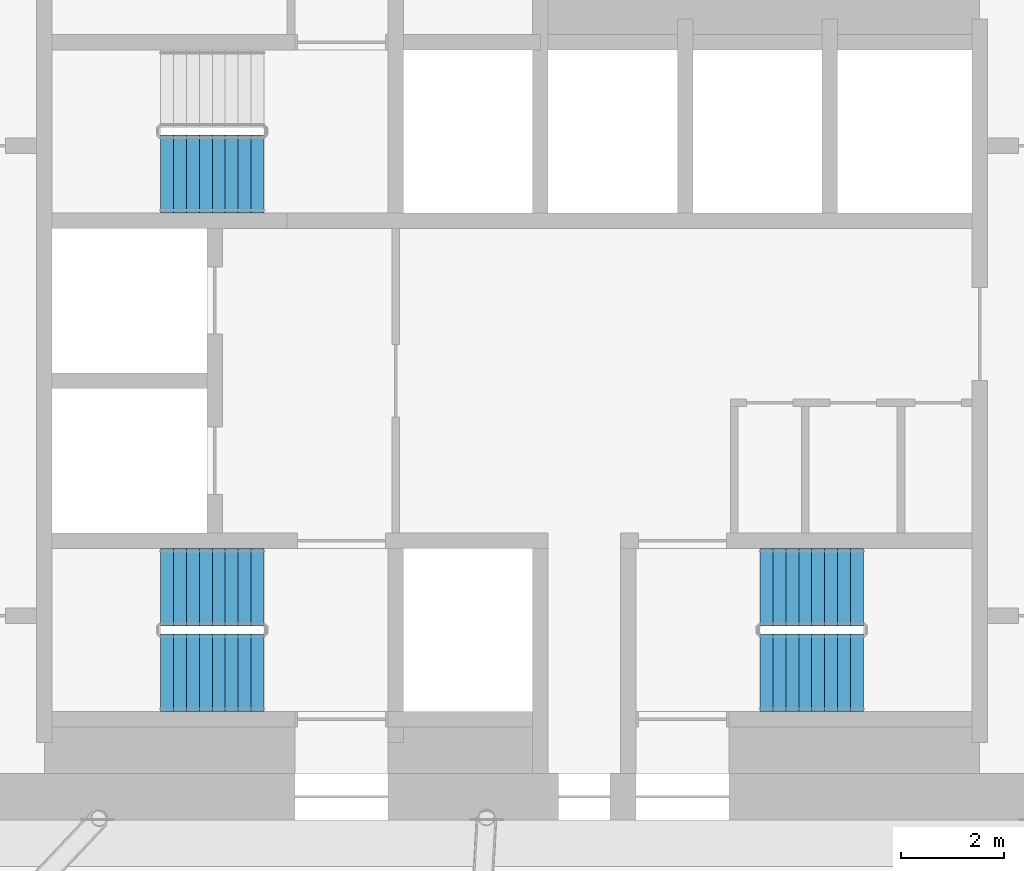
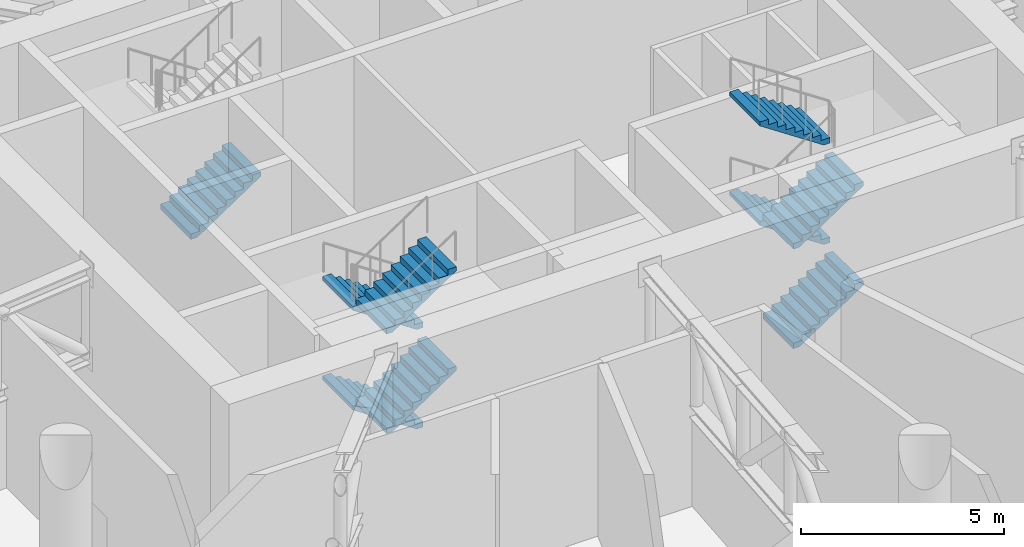
# One storey, part 13 of 15: 9 stair flights, 3 elements without a shape of their own.
"""IFC4 building model written with IfcOpenShell, lengths in metres."""

from ifc_helpers import new_model, si_unit, direction, frame, origin, place, context, subcontext, project, spatial, polyline, outline, extrude, material, type_object, element, aggregate, save


model = new_model("IFC4")

# Units and contexts
model_context = context("Model", 3, precision=1e-05, world=origin(), true_north=direction((0.0, 1.0)))
body_context = subcontext(model_context, "Body", "Model", "MODEL_VIEW")
ifc_project = project(units=[si_unit("LENGTHUNIT", "METRE"), si_unit("AREAUNIT", "SQUARE_METRE"), si_unit("VOLUMEUNIT", "CUBIC_METRE"), si_unit("PLANEANGLEUNIT", "RADIAN"), si_unit("MASSUNIT", "GRAM", prefix="KILO")], contexts=[model_context])

# Site, building, storey
site_placement = place(None, origin())
site = spatial("IfcSite", under=ifc_project, at=site_placement, CompositionType="ELEMENT")
building_placement = place(site_placement, origin())
building = spatial("IfcBuilding", under=site, at=building_placement, Name="Tracery Tower", CompositionType="ELEMENT")
storey_placement = place(building_placement, frame((0.0, 0.0, 225.0)))
storey = spatial("IfcBuildingStorey", under=building, at=storey_placement, Name="L58 Plant", CompositionType="ELEMENT", Elevation=225.0)

# Stair, stair flights
ifc_material_1 = material(Name="Concrete C32/40", Category="concrete")
stair_type = type_object("IfcStairType", Name="Core stair 36 risers", PredefinedType="HALF_TURN_STAIR", material=ifc_material_1)
stair_1_placement = place(storey_placement, origin())
stair_1 = element("IfcStair", 1, at=stair_1_placement, inside=storey, type_object=stair_type, Name="L58 Plant stair ST1", PredefinedType="HALF_TURN_STAIR")
ifc_material_2 = material(Name="Concrete C32/40", Category="concrete")
stair_flight_type = type_object("IfcStairFlightType", Name="Core stair flight 9 risers", PredefinedType="STRAIGHT", material=ifc_material_2)
stair_flight_1_placement = place(storey_placement, frame((-4.800048828125, -4.0, 0.0), z_axis=(0.0, 0.0, 1.0), x_axis=(-1.0, 0.0, 0.0)))
stair_flight_1 = element("IfcStairFlight", 2, at=stair_flight_1_placement, type_object=stair_flight_type, Name="ST1 flight 1", NumberOfRisers=9, NumberOfTreads=8, PredefinedType="STRAIGHT", RiserHeight=0.166666667, TreadLength=0.25, context=body_context, shape_type="SweptSolid", body=[
    extrude(outline(polyline([(0.0, 0.0), (0.0, 0.002685546875), (0.0, 0.00537109375), (0.0, 0.00830078125), (0.0, 0.010986328125), (0.0, 0.013671875), (0.0, 0.016357421875), (0.0, 0.01904296875), (0.0, 0.02197265625), (0.0, 0.024658203125), (0.0, 0.02734375), (0.0, 0.030029296875), (0.0, 0.03271484375), (0.0, 0.035400390625), (0.0, 0.038330078125), (0.0, 0.041015625), (0.0, 0.043701171875), (0.0, 0.04638671875), (0.0, 0.049072265625), (0.0, 0.052001953125), (0.0, 0.0546875), (0.0, 0.057373046875), (0.0, 0.06005859375), (0.0, 0.062744140625), (0.0, 0.065673828125), (0.0, 0.068359375), (0.0, 0.071044921875), (0.0, 0.07373046875), (0.0, 0.076416015625), (0.0, 0.079345703125), (0.0, 0.08203125), (0.0, 0.084716796875), (0.0, 0.08740234375), (0.0, 0.090087890625), (0.0, 0.093017578125), (0.0, 0.095703125), (0.0, 0.098388671875), (0.0, 0.10107421875), (0.0, 0.103759765625), (0.0, 0.1064453125), (0.0, 0.109375), (0.0, 0.112060546875), (0.0, 0.11474609375), (0.0, 0.117431640625), (0.0, 0.1201171875), (0.0, 0.123046875), (0.0, 0.125732421875), (0.0, 0.12841796875), (0.0, 0.131103515625), (0.0, 0.1337890625), (0.0, 0.13671875), (0.0, 0.139404296875), (0.0, 0.14208984375), (0.0, 0.144775390625), (0.0, 0.1474609375), (0.0, 0.150390625), (0.0, 0.153076171875), (0.0, 0.15576171875), (0.0, 0.158447265625), (0.0, 0.1611328125), (0.0, 0.163818359375), (0.0, 0.166748046875), (0.25, 0.166748046875), (0.25, 0.333251953125), (0.5, 0.333251953125), (0.5, 0.5), (0.75, 0.5), (0.75, 0.666748046875), (1.0, 0.666748046875), (1.0, 0.833251953125), (1.25, 0.833251953125), (1.25, 1.0), (1.5, 1.0), (1.5, 1.166748046875), (1.75, 1.166748046875), (1.75, 1.333251953125), (2.0, 1.333251953125), (2.0, 1.331298828125), (2.0, 1.329345703125), (2.0, 1.327392578125), (2.0, 1.325439453125), (2.0, 1.323486328125), (2.0, 1.321533203125), (2.0, 1.319580078125), (2.0, 1.317626953125), (2.0, 1.315673828125), (2.0, 1.313720703125), (2.0, 1.3115234375), (2.0, 1.3095703125), (2.0, 1.3076171875), (2.0, 1.3056640625), (2.0, 1.3037109375), (2.0, 1.3017578125), (2.0, 1.2998046875), (2.0, 1.2978515625), (2.0, 1.2958984375), (2.0, 1.2939453125), (2.0, 1.2919921875), (2.0, 1.2900390625), (2.0, 1.2880859375), (2.0, 1.285888671875), (2.0, 1.283935546875), (2.0, 1.281982421875), (2.0, 1.280029296875), (2.0, 1.278076171875), (2.0, 1.276123046875), (2.0, 1.274169921875), (2.0, 1.272216796875), (2.0, 1.270263671875), (2.0, 1.268310546875), (2.0, 1.266357421875), (2.0, 1.264404296875), (2.0, 1.262451171875), (2.0, 1.26025390625), (2.0, 1.25830078125), (2.0, 1.25634765625), (2.0, 1.25439453125), (2.0, 1.25244140625), (2.0, 1.25048828125), (2.0, 1.24853515625), (2.0, 1.24658203125), (2.0, 1.24462890625), (2.0, 1.24267578125), (2.0, 1.24072265625), (2.0, 1.23876953125), (2.0, 1.23681640625), (2.0, 1.234619140625), (2.0, 1.232666015625), (2.0, 1.230712890625), (2.0, 1.228759765625), (2.0, 1.226806640625), (2.0, 1.224853515625), (2.0, 1.222900390625), (2.0, 1.220947265625), (2.0, 1.218994140625), (2.0, 1.217041015625), (2.0, 1.215087890625), (2.0, 1.213134765625), (0.180419921875, 0.0), (0.0, 0.0)])), frame((0.0, 0.75, 0.0), z_axis=(0.0, -1.0, 0.0), x_axis=(1.0, 0.0, 0.0)), (0.0, 0.0, 1.0), 1.5),
])
stair_flight_2_placement = place(storey_placement, frame((-6.800048828125, -5.64990234375, 1.5), z_axis=(0.0, 0.0, 1.0), x_axis=(1.0, 0.0, 0.0)))
stair_flight_2 = element("IfcStairFlight", 3, at=stair_flight_2_placement, type_object=stair_flight_type, Name="ST1 flight 2", NumberOfRisers=9, NumberOfTreads=8, PredefinedType="STRAIGHT", RiserHeight=0.166666667, TreadLength=0.25, context=body_context, shape_type="SweptSolid", body=[
    extrude(outline(polyline([(0.0, 0.0), (0.0, 0.002685546875), (0.0, 0.00537109375), (0.0, 0.00830078125), (0.0, 0.010986328125), (0.0, 0.013671875), (0.0, 0.016357421875), (0.0, 0.01904296875), (0.0, 0.02197265625), (0.0, 0.024658203125), (0.0, 0.02734375), (0.0, 0.030029296875), (0.0, 0.03271484375), (0.0, 0.035400390625), (0.0, 0.038330078125), (0.0, 0.041015625), (0.0, 0.043701171875), (0.0, 0.04638671875), (0.0, 0.049072265625), (0.0, 0.052001953125), (0.0, 0.0546875), (0.0, 0.057373046875), (0.0, 0.06005859375), (0.0, 0.062744140625), (0.0, 0.065673828125), (0.0, 0.068359375), (0.0, 0.071044921875), (0.0, 0.07373046875), (0.0, 0.076416015625), (0.0, 0.079345703125), (0.0, 0.08203125), (0.0, 0.084716796875), (0.0, 0.08740234375), (0.0, 0.090087890625), (0.0, 0.093017578125), (0.0, 0.095703125), (0.0, 0.098388671875), (0.0, 0.10107421875), (0.0, 0.103759765625), (0.0, 0.1064453125), (0.0, 0.109375), (0.0, 0.112060546875), (0.0, 0.11474609375), (0.0, 0.117431640625), (0.0, 0.1201171875), (0.0, 0.123046875), (0.0, 0.125732421875), (0.0, 0.12841796875), (0.0, 0.131103515625), (0.0, 0.1337890625), (0.0, 0.13671875), (0.0, 0.139404296875), (0.0, 0.14208984375), (0.0, 0.144775390625), (0.0, 0.1474609375), (0.0, 0.150390625), (0.0, 0.153076171875), (0.0, 0.15576171875), (0.0, 0.158447265625), (0.0, 0.1611328125), (0.0, 0.163818359375), (0.0, 0.166748046875), (0.25, 0.166748046875), (0.25, 0.333251953125), (0.5, 0.333251953125), (0.5, 0.5), (0.75, 0.5), (0.75, 0.666748046875), (1.0, 0.666748046875), (1.0, 0.833251953125), (1.25, 0.833251953125), (1.25, 1.0), (1.5, 1.0), (1.5, 1.166748046875), (1.75, 1.166748046875), (1.75, 1.333251953125), (2.0, 1.333251953125), (2.0, 1.331298828125), (2.0, 1.329345703125), (2.0, 1.327392578125), (2.0, 1.325439453125), (2.0, 1.323486328125), (2.0, 1.321533203125), (2.0, 1.319580078125), (2.0, 1.317626953125), (2.0, 1.315673828125), (2.0, 1.313720703125), (2.0, 1.3115234375), (2.0, 1.3095703125), (2.0, 1.3076171875), (2.0, 1.3056640625), (2.0, 1.3037109375), (2.0, 1.3017578125), (2.0, 1.2998046875), (2.0, 1.2978515625), (2.0, 1.2958984375), (2.0, 1.2939453125), (2.0, 1.2919921875), (2.0, 1.2900390625), (2.0, 1.2880859375), (2.0, 1.285888671875), (2.0, 1.283935546875), (2.0, 1.281982421875), (2.0, 1.280029296875), (2.0, 1.278076171875), (2.0, 1.276123046875), (2.0, 1.274169921875), (2.0, 1.272216796875), (2.0, 1.270263671875), (2.0, 1.268310546875), (2.0, 1.266357421875), (2.0, 1.264404296875), (2.0, 1.262451171875), (2.0, 1.26025390625), (2.0, 1.25830078125), (2.0, 1.25634765625), (2.0, 1.25439453125), (2.0, 1.25244140625), (2.0, 1.25048828125), (2.0, 1.24853515625), (2.0, 1.24658203125), (2.0, 1.24462890625), (2.0, 1.24267578125), (2.0, 1.24072265625), (2.0, 1.23876953125), (2.0, 1.23681640625), (2.0, 1.234619140625), (2.0, 1.232666015625), (2.0, 1.230712890625), (2.0, 1.228759765625), (2.0, 1.226806640625), (2.0, 1.224853515625), (2.0, 1.222900390625), (2.0, 1.220947265625), (2.0, 1.218994140625), (2.0, 1.217041015625), (2.0, 1.215087890625), (2.0, 1.213134765625), (0.180419921875, 0.0), (0.0, 0.0)])), frame((0.0, 0.75, 0.0), z_axis=(0.0, -1.0, 0.0), x_axis=(1.0, 0.0, 0.0)), (0.0, 0.0, 1.0), 1.5),
])
stair_flight_3_placement = place(storey_placement, frame((-4.800048828125, -4.0, 3.0), z_axis=(0.0, 0.0, 1.0), x_axis=(-1.0, 0.0, 0.0)))
stair_flight_3 = element("IfcStairFlight", 4, at=stair_flight_3_placement, type_object=stair_flight_type, Name="ST1 flight 3", NumberOfRisers=9, NumberOfTreads=8, PredefinedType="STRAIGHT", RiserHeight=0.166666667, TreadLength=0.25, context=body_context, shape_type="SweptSolid", body=[
    extrude(outline(polyline([(0.0, 0.0), (0.0, 0.002685546875), (0.0, 0.00537109375), (0.0, 0.00830078125), (0.0, 0.010986328125), (0.0, 0.013671875), (0.0, 0.016357421875), (0.0, 0.01904296875), (0.0, 0.02197265625), (0.0, 0.024658203125), (0.0, 0.02734375), (0.0, 0.030029296875), (0.0, 0.03271484375), (0.0, 0.035400390625), (0.0, 0.038330078125), (0.0, 0.041015625), (0.0, 0.043701171875), (0.0, 0.04638671875), (0.0, 0.049072265625), (0.0, 0.052001953125), (0.0, 0.0546875), (0.0, 0.057373046875), (0.0, 0.06005859375), (0.0, 0.062744140625), (0.0, 0.065673828125), (0.0, 0.068359375), (0.0, 0.071044921875), (0.0, 0.07373046875), (0.0, 0.076416015625), (0.0, 0.079345703125), (0.0, 0.08203125), (0.0, 0.084716796875), (0.0, 0.08740234375), (0.0, 0.090087890625), (0.0, 0.093017578125), (0.0, 0.095703125), (0.0, 0.098388671875), (0.0, 0.10107421875), (0.0, 0.103759765625), (0.0, 0.1064453125), (0.0, 0.109375), (0.0, 0.112060546875), (0.0, 0.11474609375), (0.0, 0.117431640625), (0.0, 0.1201171875), (0.0, 0.123046875), (0.0, 0.125732421875), (0.0, 0.12841796875), (0.0, 0.131103515625), (0.0, 0.1337890625), (0.0, 0.13671875), (0.0, 0.139404296875), (0.0, 0.14208984375), (0.0, 0.144775390625), (0.0, 0.1474609375), (0.0, 0.150390625), (0.0, 0.153076171875), (0.0, 0.15576171875), (0.0, 0.158447265625), (0.0, 0.1611328125), (0.0, 0.163818359375), (0.0, 0.166748046875), (0.25, 0.166748046875), (0.25, 0.333251953125), (0.5, 0.333251953125), (0.5, 0.5), (0.75, 0.5), (0.75, 0.666748046875), (1.0, 0.666748046875), (1.0, 0.833251953125), (1.25, 0.833251953125), (1.25, 1.0), (1.5, 1.0), (1.5, 1.166748046875), (1.75, 1.166748046875), (1.75, 1.333251953125), (2.0, 1.333251953125), (2.0, 1.331298828125), (2.0, 1.329345703125), (2.0, 1.327392578125), (2.0, 1.325439453125), (2.0, 1.323486328125), (2.0, 1.321533203125), (2.0, 1.319580078125), (2.0, 1.317626953125), (2.0, 1.315673828125), (2.0, 1.313720703125), (2.0, 1.3115234375), (2.0, 1.3095703125), (2.0, 1.3076171875), (2.0, 1.3056640625), (2.0, 1.3037109375), (2.0, 1.3017578125), (2.0, 1.2998046875), (2.0, 1.2978515625), (2.0, 1.2958984375), (2.0, 1.2939453125), (2.0, 1.2919921875), (2.0, 1.2900390625), (2.0, 1.2880859375), (2.0, 1.285888671875), (2.0, 1.283935546875), (2.0, 1.281982421875), (2.0, 1.280029296875), (2.0, 1.278076171875), (2.0, 1.276123046875), (2.0, 1.274169921875), (2.0, 1.272216796875), (2.0, 1.270263671875), (2.0, 1.268310546875), (2.0, 1.266357421875), (2.0, 1.264404296875), (2.0, 1.262451171875), (2.0, 1.26025390625), (2.0, 1.25830078125), (2.0, 1.25634765625), (2.0, 1.25439453125), (2.0, 1.25244140625), (2.0, 1.25048828125), (2.0, 1.24853515625), (2.0, 1.24658203125), (2.0, 1.24462890625), (2.0, 1.24267578125), (2.0, 1.24072265625), (2.0, 1.23876953125), (2.0, 1.23681640625), (2.0, 1.234619140625), (2.0, 1.232666015625), (2.0, 1.230712890625), (2.0, 1.228759765625), (2.0, 1.226806640625), (2.0, 1.224853515625), (2.0, 1.222900390625), (2.0, 1.220947265625), (2.0, 1.218994140625), (2.0, 1.217041015625), (2.0, 1.215087890625), (2.0, 1.213134765625), (0.180419921875, 0.0), (0.0, 0.0)])), frame((0.0, 0.75, 0.0), z_axis=(0.0, -1.0, 0.0), x_axis=(1.0, 0.0, 0.0)), (0.0, 0.0, 1.0), 1.5),
])
stair_flight_4_placement = place(storey_placement, frame((-6.800048828125, -5.64990234375, 4.5), z_axis=(0.0, 0.0, 1.0), x_axis=(1.0, 0.0, 0.0)))
stair_flight_4 = element("IfcStairFlight", 5, at=stair_flight_4_placement, type_object=stair_flight_type, Name="ST1 flight 4", NumberOfRisers=9, NumberOfTreads=8, PredefinedType="STRAIGHT", RiserHeight=0.166666667, TreadLength=0.25, context=body_context, shape_type="SweptSolid", body=[
    extrude(outline(polyline([(0.0, 0.0), (0.0, 0.002685546875), (0.0, 0.00537109375), (0.0, 0.00830078125), (0.0, 0.010986328125), (0.0, 0.013671875), (0.0, 0.016357421875), (0.0, 0.01904296875), (0.0, 0.02197265625), (0.0, 0.024658203125), (0.0, 0.02734375), (0.0, 0.030029296875), (0.0, 0.03271484375), (0.0, 0.035400390625), (0.0, 0.038330078125), (0.0, 0.041015625), (0.0, 0.043701171875), (0.0, 0.04638671875), (0.0, 0.049072265625), (0.0, 0.052001953125), (0.0, 0.0546875), (0.0, 0.057373046875), (0.0, 0.06005859375), (0.0, 0.062744140625), (0.0, 0.065673828125), (0.0, 0.068359375), (0.0, 0.071044921875), (0.0, 0.07373046875), (0.0, 0.076416015625), (0.0, 0.079345703125), (0.0, 0.08203125), (0.0, 0.084716796875), (0.0, 0.08740234375), (0.0, 0.090087890625), (0.0, 0.093017578125), (0.0, 0.095703125), (0.0, 0.098388671875), (0.0, 0.10107421875), (0.0, 0.103759765625), (0.0, 0.1064453125), (0.0, 0.109375), (0.0, 0.112060546875), (0.0, 0.11474609375), (0.0, 0.117431640625), (0.0, 0.1201171875), (0.0, 0.123046875), (0.0, 0.125732421875), (0.0, 0.12841796875), (0.0, 0.131103515625), (0.0, 0.1337890625), (0.0, 0.13671875), (0.0, 0.139404296875), (0.0, 0.14208984375), (0.0, 0.144775390625), (0.0, 0.1474609375), (0.0, 0.150390625), (0.0, 0.153076171875), (0.0, 0.15576171875), (0.0, 0.158447265625), (0.0, 0.1611328125), (0.0, 0.163818359375), (0.0, 0.166748046875), (0.25, 0.166748046875), (0.25, 0.333251953125), (0.5, 0.333251953125), (0.5, 0.5), (0.75, 0.5), (0.75, 0.666748046875), (1.0, 0.666748046875), (1.0, 0.833251953125), (1.25, 0.833251953125), (1.25, 1.0), (1.5, 1.0), (1.5, 1.166748046875), (1.75, 1.166748046875), (1.75, 1.333251953125), (2.0, 1.333251953125), (2.0, 1.331298828125), (2.0, 1.329345703125), (2.0, 1.327392578125), (2.0, 1.325439453125), (2.0, 1.323486328125), (2.0, 1.321533203125), (2.0, 1.319580078125), (2.0, 1.317626953125), (2.0, 1.315673828125), (2.0, 1.313720703125), (2.0, 1.3115234375), (2.0, 1.3095703125), (2.0, 1.3076171875), (2.0, 1.3056640625), (2.0, 1.3037109375), (2.0, 1.3017578125), (2.0, 1.2998046875), (2.0, 1.2978515625), (2.0, 1.2958984375), (2.0, 1.2939453125), (2.0, 1.2919921875), (2.0, 1.2900390625), (2.0, 1.2880859375), (2.0, 1.285888671875), (2.0, 1.283935546875), (2.0, 1.281982421875), (2.0, 1.280029296875), (2.0, 1.278076171875), (2.0, 1.276123046875), (2.0, 1.274169921875), (2.0, 1.272216796875), (2.0, 1.270263671875), (2.0, 1.268310546875), (2.0, 1.266357421875), (2.0, 1.264404296875), (2.0, 1.262451171875), (2.0, 1.26025390625), (2.0, 1.25830078125), (2.0, 1.25634765625), (2.0, 1.25439453125), (2.0, 1.25244140625), (2.0, 1.25048828125), (2.0, 1.24853515625), (2.0, 1.24658203125), (2.0, 1.24462890625), (2.0, 1.24267578125), (2.0, 1.24072265625), (2.0, 1.23876953125), (2.0, 1.23681640625), (2.0, 1.234619140625), (2.0, 1.232666015625), (2.0, 1.230712890625), (2.0, 1.228759765625), (2.0, 1.226806640625), (2.0, 1.224853515625), (2.0, 1.222900390625), (2.0, 1.220947265625), (2.0, 1.218994140625), (2.0, 1.217041015625), (2.0, 1.215087890625), (2.0, 1.213134765625), (0.180419921875, 0.0), (0.0, 0.0)])), frame((0.0, 0.75, 0.0), z_axis=(0.0, -1.0, 0.0), x_axis=(1.0, 0.0, 0.0)), (0.0, 0.0, 1.0), 1.5),
])
aggregate(stair_1, [stair_flight_1, stair_flight_2, stair_flight_3, stair_flight_4])

# Stair, stair flight
stair_2_placement = place(storey_placement, origin())
stair_2 = element("IfcStair", 6, at=stair_2_placement, inside=storey, type_object=stair_type, Name="L58 Plant stair ST3", PredefinedType="HALF_TURN_STAIR")
stair_flight_5_placement = place(storey_placement, frame((-6.800048828125, 4.0, 1.5), z_axis=(0.0, 0.0, 1.0), x_axis=(1.0, 0.0, 0.0)))
stair_flight_5 = element("IfcStairFlight", 7, at=stair_flight_5_placement, type_object=stair_flight_type, Name="ST3 flight 2", NumberOfRisers=9, NumberOfTreads=8, PredefinedType="STRAIGHT", RiserHeight=0.166666667, TreadLength=0.25, context=body_context, shape_type="SweptSolid", body=[
    extrude(outline(polyline([(0.0, 0.0), (0.0, 0.002685546875), (0.0, 0.00537109375), (0.0, 0.00830078125), (0.0, 0.010986328125), (0.0, 0.013671875), (0.0, 0.016357421875), (0.0, 0.01904296875), (0.0, 0.02197265625), (0.0, 0.024658203125), (0.0, 0.02734375), (0.0, 0.030029296875), (0.0, 0.03271484375), (0.0, 0.035400390625), (0.0, 0.038330078125), (0.0, 0.041015625), (0.0, 0.043701171875), (0.0, 0.04638671875), (0.0, 0.049072265625), (0.0, 0.052001953125), (0.0, 0.0546875), (0.0, 0.057373046875), (0.0, 0.06005859375), (0.0, 0.062744140625), (0.0, 0.065673828125), (0.0, 0.068359375), (0.0, 0.071044921875), (0.0, 0.07373046875), (0.0, 0.076416015625), (0.0, 0.079345703125), (0.0, 0.08203125), (0.0, 0.084716796875), (0.0, 0.08740234375), (0.0, 0.090087890625), (0.0, 0.093017578125), (0.0, 0.095703125), (0.0, 0.098388671875), (0.0, 0.10107421875), (0.0, 0.103759765625), (0.0, 0.1064453125), (0.0, 0.109375), (0.0, 0.112060546875), (0.0, 0.11474609375), (0.0, 0.117431640625), (0.0, 0.1201171875), (0.0, 0.123046875), (0.0, 0.125732421875), (0.0, 0.12841796875), (0.0, 0.131103515625), (0.0, 0.1337890625), (0.0, 0.13671875), (0.0, 0.139404296875), (0.0, 0.14208984375), (0.0, 0.144775390625), (0.0, 0.1474609375), (0.0, 0.150390625), (0.0, 0.153076171875), (0.0, 0.15576171875), (0.0, 0.158447265625), (0.0, 0.1611328125), (0.0, 0.163818359375), (0.0, 0.166748046875), (0.25, 0.166748046875), (0.25, 0.333251953125), (0.5, 0.333251953125), (0.5, 0.5), (0.75, 0.5), (0.75, 0.666748046875), (1.0, 0.666748046875), (1.0, 0.833251953125), (1.25, 0.833251953125), (1.25, 1.0), (1.5, 1.0), (1.5, 1.166748046875), (1.75, 1.166748046875), (1.75, 1.333251953125), (2.0, 1.333251953125), (2.0, 1.331298828125), (2.0, 1.329345703125), (2.0, 1.327392578125), (2.0, 1.325439453125), (2.0, 1.323486328125), (2.0, 1.321533203125), (2.0, 1.319580078125), (2.0, 1.317626953125), (2.0, 1.315673828125), (2.0, 1.313720703125), (2.0, 1.3115234375), (2.0, 1.3095703125), (2.0, 1.3076171875), (2.0, 1.3056640625), (2.0, 1.3037109375), (2.0, 1.3017578125), (2.0, 1.2998046875), (2.0, 1.2978515625), (2.0, 1.2958984375), (2.0, 1.2939453125), (2.0, 1.2919921875), (2.0, 1.2900390625), (2.0, 1.2880859375), (2.0, 1.285888671875), (2.0, 1.283935546875), (2.0, 1.281982421875), (2.0, 1.280029296875), (2.0, 1.278076171875), (2.0, 1.276123046875), (2.0, 1.274169921875), (2.0, 1.272216796875), (2.0, 1.270263671875), (2.0, 1.268310546875), (2.0, 1.266357421875), (2.0, 1.264404296875), (2.0, 1.262451171875), (2.0, 1.26025390625), (2.0, 1.25830078125), (2.0, 1.25634765625), (2.0, 1.25439453125), (2.0, 1.25244140625), (2.0, 1.25048828125), (2.0, 1.24853515625), (2.0, 1.24658203125), (2.0, 1.24462890625), (2.0, 1.24267578125), (2.0, 1.24072265625), (2.0, 1.23876953125), (2.0, 1.23681640625), (2.0, 1.234619140625), (2.0, 1.232666015625), (2.0, 1.230712890625), (2.0, 1.228759765625), (2.0, 1.226806640625), (2.0, 1.224853515625), (2.0, 1.222900390625), (2.0, 1.220947265625), (2.0, 1.218994140625), (2.0, 1.217041015625), (2.0, 1.215087890625), (2.0, 1.213134765625), (0.180419921875, 0.0), (0.0, 0.0)])), frame((0.0, 0.75, 0.0), z_axis=(0.0, -1.0, 0.0), x_axis=(1.0, 0.0, 0.0)), (0.0, 0.0, 1.0), 1.5),
])
aggregate(stair_2, [stair_flight_5])

# Stair, stair flights
stair_3_placement = place(storey_placement, origin())
stair_3 = element("IfcStair", 8, at=stair_3_placement, inside=storey, type_object=stair_type, Name="L58 Plant stair ST2", PredefinedType="HALF_TURN_STAIR")
stair_flight_6_placement = place(storey_placement, frame((4.800048828125, -5.64990234375, 0.0), z_axis=(0.0, 0.0, 1.0), x_axis=(1.0, 0.0, 0.0)))
stair_flight_6 = element("IfcStairFlight", 9, at=stair_flight_6_placement, type_object=stair_flight_type, Name="ST2 flight 1", NumberOfRisers=9, NumberOfTreads=8, PredefinedType="STRAIGHT", RiserHeight=0.166666667, TreadLength=0.25, context=body_context, shape_type="SweptSolid", body=[
    extrude(outline(polyline([(0.0, 0.0), (0.0, 0.002685546875), (0.0, 0.00537109375), (0.0, 0.00830078125), (0.0, 0.010986328125), (0.0, 0.013671875), (0.0, 0.016357421875), (0.0, 0.01904296875), (0.0, 0.02197265625), (0.0, 0.024658203125), (0.0, 0.02734375), (0.0, 0.030029296875), (0.0, 0.03271484375), (0.0, 0.035400390625), (0.0, 0.038330078125), (0.0, 0.041015625), (0.0, 0.043701171875), (0.0, 0.04638671875), (0.0, 0.049072265625), (0.0, 0.052001953125), (0.0, 0.0546875), (0.0, 0.057373046875), (0.0, 0.06005859375), (0.0, 0.062744140625), (0.0, 0.065673828125), (0.0, 0.068359375), (0.0, 0.071044921875), (0.0, 0.07373046875), (0.0, 0.076416015625), (0.0, 0.079345703125), (0.0, 0.08203125), (0.0, 0.084716796875), (0.0, 0.08740234375), (0.0, 0.090087890625), (0.0, 0.093017578125), (0.0, 0.095703125), (0.0, 0.098388671875), (0.0, 0.10107421875), (0.0, 0.103759765625), (0.0, 0.1064453125), (0.0, 0.109375), (0.0, 0.112060546875), (0.0, 0.11474609375), (0.0, 0.117431640625), (0.0, 0.1201171875), (0.0, 0.123046875), (0.0, 0.125732421875), (0.0, 0.12841796875), (0.0, 0.131103515625), (0.0, 0.1337890625), (0.0, 0.13671875), (0.0, 0.139404296875), (0.0, 0.14208984375), (0.0, 0.144775390625), (0.0, 0.1474609375), (0.0, 0.150390625), (0.0, 0.153076171875), (0.0, 0.15576171875), (0.0, 0.158447265625), (0.0, 0.1611328125), (0.0, 0.163818359375), (0.0, 0.166748046875), (0.25, 0.166748046875), (0.25, 0.333251953125), (0.5, 0.333251953125), (0.5, 0.5), (0.75, 0.5), (0.75, 0.666748046875), (1.0, 0.666748046875), (1.0, 0.833251953125), (1.25, 0.833251953125), (1.25, 1.0), (1.5, 1.0), (1.5, 1.166748046875), (1.75, 1.166748046875), (1.75, 1.333251953125), (2.0, 1.333251953125), (2.0, 1.331298828125), (2.0, 1.329345703125), (2.0, 1.327392578125), (2.0, 1.325439453125), (2.0, 1.323486328125), (2.0, 1.321533203125), (2.0, 1.319580078125), (2.0, 1.317626953125), (2.0, 1.315673828125), (2.0, 1.313720703125), (2.0, 1.3115234375), (2.0, 1.3095703125), (2.0, 1.3076171875), (2.0, 1.3056640625), (2.0, 1.3037109375), (2.0, 1.3017578125), (2.0, 1.2998046875), (2.0, 1.2978515625), (2.0, 1.2958984375), (2.0, 1.2939453125), (2.0, 1.2919921875), (2.0, 1.2900390625), (2.0, 1.2880859375), (2.0, 1.285888671875), (2.0, 1.283935546875), (2.0, 1.281982421875), (2.0, 1.280029296875), (2.0, 1.278076171875), (2.0, 1.276123046875), (2.0, 1.274169921875), (2.0, 1.272216796875), (2.0, 1.270263671875), (2.0, 1.268310546875), (2.0, 1.266357421875), (2.0, 1.264404296875), (2.0, 1.262451171875), (2.0, 1.26025390625), (2.0, 1.25830078125), (2.0, 1.25634765625), (2.0, 1.25439453125), (2.0, 1.25244140625), (2.0, 1.25048828125), (2.0, 1.24853515625), (2.0, 1.24658203125), (2.0, 1.24462890625), (2.0, 1.24267578125), (2.0, 1.24072265625), (2.0, 1.23876953125), (2.0, 1.23681640625), (2.0, 1.234619140625), (2.0, 1.232666015625), (2.0, 1.230712890625), (2.0, 1.228759765625), (2.0, 1.226806640625), (2.0, 1.224853515625), (2.0, 1.222900390625), (2.0, 1.220947265625), (2.0, 1.218994140625), (2.0, 1.217041015625), (2.0, 1.215087890625), (2.0, 1.213134765625), (0.180419921875, 0.0), (0.0, 0.0)])), frame((0.0, 0.75, 0.0), z_axis=(0.0, -1.0, 0.0), x_axis=(1.0, 0.0, 0.0)), (0.0, 0.0, 1.0), 1.5),
])
stair_flight_7_placement = place(storey_placement, frame((6.800048828125, -4.0, 1.5), z_axis=(0.0, 0.0, 1.0), x_axis=(-1.0, 0.0, 0.0)))
stair_flight_7 = element("IfcStairFlight", 10, at=stair_flight_7_placement, type_object=stair_flight_type, Name="ST2 flight 2", NumberOfRisers=9, NumberOfTreads=8, PredefinedType="STRAIGHT", RiserHeight=0.166666667, TreadLength=0.25, context=body_context, shape_type="SweptSolid", body=[
    extrude(outline(polyline([(0.0, 0.0), (0.0, 0.002685546875), (0.0, 0.00537109375), (0.0, 0.00830078125), (0.0, 0.010986328125), (0.0, 0.013671875), (0.0, 0.016357421875), (0.0, 0.01904296875), (0.0, 0.02197265625), (0.0, 0.024658203125), (0.0, 0.02734375), (0.0, 0.030029296875), (0.0, 0.03271484375), (0.0, 0.035400390625), (0.0, 0.038330078125), (0.0, 0.041015625), (0.0, 0.043701171875), (0.0, 0.04638671875), (0.0, 0.049072265625), (0.0, 0.052001953125), (0.0, 0.0546875), (0.0, 0.057373046875), (0.0, 0.06005859375), (0.0, 0.062744140625), (0.0, 0.065673828125), (0.0, 0.068359375), (0.0, 0.071044921875), (0.0, 0.07373046875), (0.0, 0.076416015625), (0.0, 0.079345703125), (0.0, 0.08203125), (0.0, 0.084716796875), (0.0, 0.08740234375), (0.0, 0.090087890625), (0.0, 0.093017578125), (0.0, 0.095703125), (0.0, 0.098388671875), (0.0, 0.10107421875), (0.0, 0.103759765625), (0.0, 0.1064453125), (0.0, 0.109375), (0.0, 0.112060546875), (0.0, 0.11474609375), (0.0, 0.117431640625), (0.0, 0.1201171875), (0.0, 0.123046875), (0.0, 0.125732421875), (0.0, 0.12841796875), (0.0, 0.131103515625), (0.0, 0.1337890625), (0.0, 0.13671875), (0.0, 0.139404296875), (0.0, 0.14208984375), (0.0, 0.144775390625), (0.0, 0.1474609375), (0.0, 0.150390625), (0.0, 0.153076171875), (0.0, 0.15576171875), (0.0, 0.158447265625), (0.0, 0.1611328125), (0.0, 0.163818359375), (0.0, 0.166748046875), (0.25, 0.166748046875), (0.25, 0.333251953125), (0.5, 0.333251953125), (0.5, 0.5), (0.75, 0.5), (0.75, 0.666748046875), (1.0, 0.666748046875), (1.0, 0.833251953125), (1.25, 0.833251953125), (1.25, 1.0), (1.5, 1.0), (1.5, 1.166748046875), (1.75, 1.166748046875), (1.75, 1.333251953125), (2.0, 1.333251953125), (2.0, 1.331298828125), (2.0, 1.329345703125), (2.0, 1.327392578125), (2.0, 1.325439453125), (2.0, 1.323486328125), (2.0, 1.321533203125), (2.0, 1.319580078125), (2.0, 1.317626953125), (2.0, 1.315673828125), (2.0, 1.313720703125), (2.0, 1.3115234375), (2.0, 1.3095703125), (2.0, 1.3076171875), (2.0, 1.3056640625), (2.0, 1.3037109375), (2.0, 1.3017578125), (2.0, 1.2998046875), (2.0, 1.2978515625), (2.0, 1.2958984375), (2.0, 1.2939453125), (2.0, 1.2919921875), (2.0, 1.2900390625), (2.0, 1.2880859375), (2.0, 1.285888671875), (2.0, 1.283935546875), (2.0, 1.281982421875), (2.0, 1.280029296875), (2.0, 1.278076171875), (2.0, 1.276123046875), (2.0, 1.274169921875), (2.0, 1.272216796875), (2.0, 1.270263671875), (2.0, 1.268310546875), (2.0, 1.266357421875), (2.0, 1.264404296875), (2.0, 1.262451171875), (2.0, 1.26025390625), (2.0, 1.25830078125), (2.0, 1.25634765625), (2.0, 1.25439453125), (2.0, 1.25244140625), (2.0, 1.25048828125), (2.0, 1.24853515625), (2.0, 1.24658203125), (2.0, 1.24462890625), (2.0, 1.24267578125), (2.0, 1.24072265625), (2.0, 1.23876953125), (2.0, 1.23681640625), (2.0, 1.234619140625), (2.0, 1.232666015625), (2.0, 1.230712890625), (2.0, 1.228759765625), (2.0, 1.226806640625), (2.0, 1.224853515625), (2.0, 1.222900390625), (2.0, 1.220947265625), (2.0, 1.218994140625), (2.0, 1.217041015625), (2.0, 1.215087890625), (2.0, 1.213134765625), (0.180419921875, 0.0), (0.0, 0.0)])), frame((0.0, 0.75, 0.0), z_axis=(0.0, -1.0, 0.0), x_axis=(1.0, 0.0, 0.0)), (0.0, 0.0, 1.0), 1.5),
])
stair_flight_8_placement = place(storey_placement, frame((4.800048828125, -5.64990234375, 3.0), z_axis=(0.0, 0.0, 1.0), x_axis=(1.0, 0.0, 0.0)))
stair_flight_8 = element("IfcStairFlight", 11, at=stair_flight_8_placement, type_object=stair_flight_type, Name="ST2 flight 3", NumberOfRisers=9, NumberOfTreads=8, PredefinedType="STRAIGHT", RiserHeight=0.166666667, TreadLength=0.25, context=body_context, shape_type="SweptSolid", body=[
    extrude(outline(polyline([(0.0, 0.0), (0.0, 0.002685546875), (0.0, 0.00537109375), (0.0, 0.00830078125), (0.0, 0.010986328125), (0.0, 0.013671875), (0.0, 0.016357421875), (0.0, 0.01904296875), (0.0, 0.02197265625), (0.0, 0.024658203125), (0.0, 0.02734375), (0.0, 0.030029296875), (0.0, 0.03271484375), (0.0, 0.035400390625), (0.0, 0.038330078125), (0.0, 0.041015625), (0.0, 0.043701171875), (0.0, 0.04638671875), (0.0, 0.049072265625), (0.0, 0.052001953125), (0.0, 0.0546875), (0.0, 0.057373046875), (0.0, 0.06005859375), (0.0, 0.062744140625), (0.0, 0.065673828125), (0.0, 0.068359375), (0.0, 0.071044921875), (0.0, 0.07373046875), (0.0, 0.076416015625), (0.0, 0.079345703125), (0.0, 0.08203125), (0.0, 0.084716796875), (0.0, 0.08740234375), (0.0, 0.090087890625), (0.0, 0.093017578125), (0.0, 0.095703125), (0.0, 0.098388671875), (0.0, 0.10107421875), (0.0, 0.103759765625), (0.0, 0.1064453125), (0.0, 0.109375), (0.0, 0.112060546875), (0.0, 0.11474609375), (0.0, 0.117431640625), (0.0, 0.1201171875), (0.0, 0.123046875), (0.0, 0.125732421875), (0.0, 0.12841796875), (0.0, 0.131103515625), (0.0, 0.1337890625), (0.0, 0.13671875), (0.0, 0.139404296875), (0.0, 0.14208984375), (0.0, 0.144775390625), (0.0, 0.1474609375), (0.0, 0.150390625), (0.0, 0.153076171875), (0.0, 0.15576171875), (0.0, 0.158447265625), (0.0, 0.1611328125), (0.0, 0.163818359375), (0.0, 0.166748046875), (0.25, 0.166748046875), (0.25, 0.333251953125), (0.5, 0.333251953125), (0.5, 0.5), (0.75, 0.5), (0.75, 0.666748046875), (1.0, 0.666748046875), (1.0, 0.833251953125), (1.25, 0.833251953125), (1.25, 1.0), (1.5, 1.0), (1.5, 1.166748046875), (1.75, 1.166748046875), (1.75, 1.333251953125), (2.0, 1.333251953125), (2.0, 1.331298828125), (2.0, 1.329345703125), (2.0, 1.327392578125), (2.0, 1.325439453125), (2.0, 1.323486328125), (2.0, 1.321533203125), (2.0, 1.319580078125), (2.0, 1.317626953125), (2.0, 1.315673828125), (2.0, 1.313720703125), (2.0, 1.3115234375), (2.0, 1.3095703125), (2.0, 1.3076171875), (2.0, 1.3056640625), (2.0, 1.3037109375), (2.0, 1.3017578125), (2.0, 1.2998046875), (2.0, 1.2978515625), (2.0, 1.2958984375), (2.0, 1.2939453125), (2.0, 1.2919921875), (2.0, 1.2900390625), (2.0, 1.2880859375), (2.0, 1.285888671875), (2.0, 1.283935546875), (2.0, 1.281982421875), (2.0, 1.280029296875), (2.0, 1.278076171875), (2.0, 1.276123046875), (2.0, 1.274169921875), (2.0, 1.272216796875), (2.0, 1.270263671875), (2.0, 1.268310546875), (2.0, 1.266357421875), (2.0, 1.264404296875), (2.0, 1.262451171875), (2.0, 1.26025390625), (2.0, 1.25830078125), (2.0, 1.25634765625), (2.0, 1.25439453125), (2.0, 1.25244140625), (2.0, 1.25048828125), (2.0, 1.24853515625), (2.0, 1.24658203125), (2.0, 1.24462890625), (2.0, 1.24267578125), (2.0, 1.24072265625), (2.0, 1.23876953125), (2.0, 1.23681640625), (2.0, 1.234619140625), (2.0, 1.232666015625), (2.0, 1.230712890625), (2.0, 1.228759765625), (2.0, 1.226806640625), (2.0, 1.224853515625), (2.0, 1.222900390625), (2.0, 1.220947265625), (2.0, 1.218994140625), (2.0, 1.217041015625), (2.0, 1.215087890625), (2.0, 1.213134765625), (0.180419921875, 0.0), (0.0, 0.0)])), frame((0.0, 0.75, 0.0), z_axis=(0.0, -1.0, 0.0), x_axis=(1.0, 0.0, 0.0)), (0.0, 0.0, 1.0), 1.5),
])
stair_flight_9_placement = place(storey_placement, frame((6.800048828125, -4.0, 4.5), z_axis=(0.0, 0.0, 1.0), x_axis=(-1.0, 0.0, 0.0)))
stair_flight_9 = element("IfcStairFlight", 12, at=stair_flight_9_placement, type_object=stair_flight_type, Name="ST2 flight 4", NumberOfRisers=9, NumberOfTreads=8, PredefinedType="STRAIGHT", RiserHeight=0.166666667, TreadLength=0.25, context=body_context, shape_type="SweptSolid", body=[
    extrude(outline(polyline([(0.0, 0.0), (0.0, 0.002685546875), (0.0, 0.00537109375), (0.0, 0.00830078125), (0.0, 0.010986328125), (0.0, 0.013671875), (0.0, 0.016357421875), (0.0, 0.01904296875), (0.0, 0.02197265625), (0.0, 0.024658203125), (0.0, 0.02734375), (0.0, 0.030029296875), (0.0, 0.03271484375), (0.0, 0.035400390625), (0.0, 0.038330078125), (0.0, 0.041015625), (0.0, 0.043701171875), (0.0, 0.04638671875), (0.0, 0.049072265625), (0.0, 0.052001953125), (0.0, 0.0546875), (0.0, 0.057373046875), (0.0, 0.06005859375), (0.0, 0.062744140625), (0.0, 0.065673828125), (0.0, 0.068359375), (0.0, 0.071044921875), (0.0, 0.07373046875), (0.0, 0.076416015625), (0.0, 0.079345703125), (0.0, 0.08203125), (0.0, 0.084716796875), (0.0, 0.08740234375), (0.0, 0.090087890625), (0.0, 0.093017578125), (0.0, 0.095703125), (0.0, 0.098388671875), (0.0, 0.10107421875), (0.0, 0.103759765625), (0.0, 0.1064453125), (0.0, 0.109375), (0.0, 0.112060546875), (0.0, 0.11474609375), (0.0, 0.117431640625), (0.0, 0.1201171875), (0.0, 0.123046875), (0.0, 0.125732421875), (0.0, 0.12841796875), (0.0, 0.131103515625), (0.0, 0.1337890625), (0.0, 0.13671875), (0.0, 0.139404296875), (0.0, 0.14208984375), (0.0, 0.144775390625), (0.0, 0.1474609375), (0.0, 0.150390625), (0.0, 0.153076171875), (0.0, 0.15576171875), (0.0, 0.158447265625), (0.0, 0.1611328125), (0.0, 0.163818359375), (0.0, 0.166748046875), (0.25, 0.166748046875), (0.25, 0.333251953125), (0.5, 0.333251953125), (0.5, 0.5), (0.75, 0.5), (0.75, 0.666748046875), (1.0, 0.666748046875), (1.0, 0.833251953125), (1.25, 0.833251953125), (1.25, 1.0), (1.5, 1.0), (1.5, 1.166748046875), (1.75, 1.166748046875), (1.75, 1.333251953125), (2.0, 1.333251953125), (2.0, 1.331298828125), (2.0, 1.329345703125), (2.0, 1.327392578125), (2.0, 1.325439453125), (2.0, 1.323486328125), (2.0, 1.321533203125), (2.0, 1.319580078125), (2.0, 1.317626953125), (2.0, 1.315673828125), (2.0, 1.313720703125), (2.0, 1.3115234375), (2.0, 1.3095703125), (2.0, 1.3076171875), (2.0, 1.3056640625), (2.0, 1.3037109375), (2.0, 1.3017578125), (2.0, 1.2998046875), (2.0, 1.2978515625), (2.0, 1.2958984375), (2.0, 1.2939453125), (2.0, 1.2919921875), (2.0, 1.2900390625), (2.0, 1.2880859375), (2.0, 1.285888671875), (2.0, 1.283935546875), (2.0, 1.281982421875), (2.0, 1.280029296875), (2.0, 1.278076171875), (2.0, 1.276123046875), (2.0, 1.274169921875), (2.0, 1.272216796875), (2.0, 1.270263671875), (2.0, 1.268310546875), (2.0, 1.266357421875), (2.0, 1.264404296875), (2.0, 1.262451171875), (2.0, 1.26025390625), (2.0, 1.25830078125), (2.0, 1.25634765625), (2.0, 1.25439453125), (2.0, 1.25244140625), (2.0, 1.25048828125), (2.0, 1.24853515625), (2.0, 1.24658203125), (2.0, 1.24462890625), (2.0, 1.24267578125), (2.0, 1.24072265625), (2.0, 1.23876953125), (2.0, 1.23681640625), (2.0, 1.234619140625), (2.0, 1.232666015625), (2.0, 1.230712890625), (2.0, 1.228759765625), (2.0, 1.226806640625), (2.0, 1.224853515625), (2.0, 1.222900390625), (2.0, 1.220947265625), (2.0, 1.218994140625), (2.0, 1.217041015625), (2.0, 1.215087890625), (2.0, 1.213134765625), (0.180419921875, 0.0), (0.0, 0.0)])), frame((0.0, 0.75, 0.0), z_axis=(0.0, -1.0, 0.0), x_axis=(1.0, 0.0, 0.0)), (0.0, 0.0, 1.0), 1.5),
])
aggregate(stair_3, [stair_flight_6, stair_flight_7, stair_flight_8, stair_flight_9])

save(model, "model.ifc")
